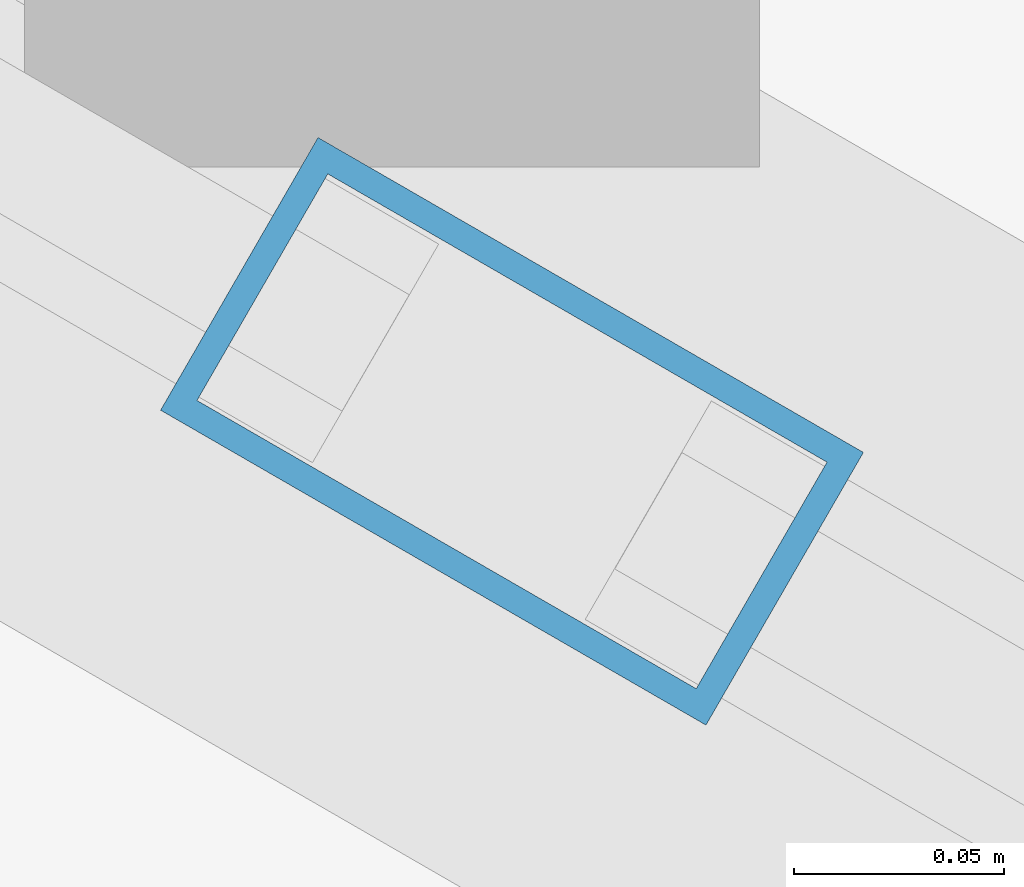
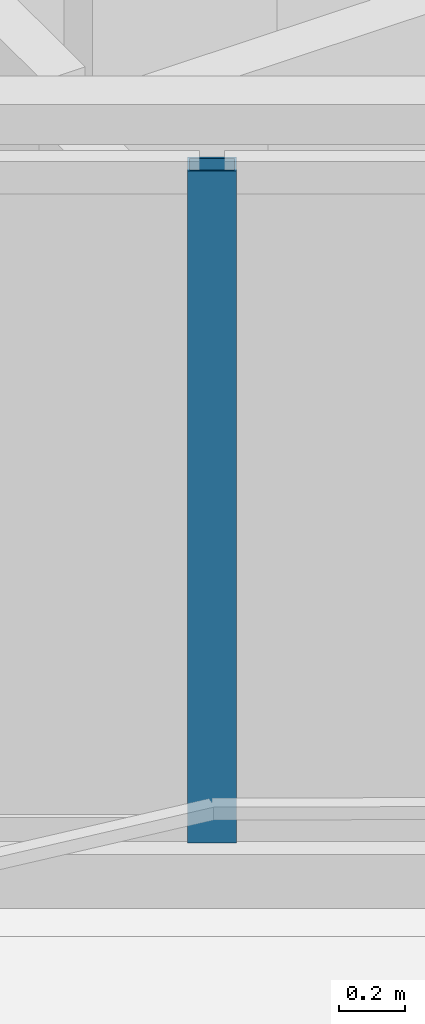
# One storey, part 2 of 18: 1 member, 1 element without a shape of its own.
"""IFC4 building model written with IfcOpenShell, lengths in metres."""

import ifcopenshell
import ifcopenshell.guid

model = None  # the IFC model being written
_history = None  # IfcOwnerHistory: only IFC2X3 demands one
_inside = {}  # id of a spatial element -> (the spatial element, [elements in it])
_under = {}  # id of a project, library or spatial element -> (it, [spatial elements below it])
_declared = {}  # id of a project -> (the project, [libraries it declares])
_typed = {}  # id of a type object -> (the type object, [elements of that type])
_made_of = {}  # id of a material, layer set ... -> (it, [elements and type objects made of it])


def new_model(schema):
    """Start an empty IFC model of exactly this schema.

    Asked for "IFC4X3", IfcOpenShell would pick the latest addendum, in which some entities
    have other attributes; the version numbers below select the first issue.
    IFC2X3 requires an IfcOwnerHistory on every rooted entity: one is made here for all.
    """
    global model, _history
    if schema == "IFC4X3":
        model = ifcopenshell.file(schema_version=(4, 3, 0, 0))
    else:
        model = ifcopenshell.file(schema=schema)
    _inside.clear()
    _under.clear()
    _declared.clear()
    _typed.clear()
    _made_of.clear()
    _history = None
    if model.schema == "IFC2X3":
        org = make("IfcOrganization", Name="unknown")
        user = make(
            "IfcPersonAndOrganization",
            ThePerson=make("IfcPerson", FamilyName="unknown"),
            TheOrganization=org,
        )
        app = make(
            "IfcApplication",
            ApplicationDeveloper=org,
            Version="unknown",
            ApplicationFullName="unknown",
            ApplicationIdentifier="unknown",
        )
        _history = make(
            "IfcOwnerHistory",
            OwningUser=user,
            OwningApplication=app,
            ChangeAction="ADDED",
            CreationDate=0,
        )
    return model


def make(cls, **values):
    """One entity of the class cls with the attributes given. An attribute that is None is left unset."""
    return model.create_entity(
        cls, **{name: value for name, value in values.items() if value is not None}
    )


def rooted(cls, **values):
    """An entity with a GlobalId (a new one), such as an element, a storey or a relation."""
    return make(cls, GlobalId=ifcopenshell.guid.new(), OwnerHistory=_history, **values)


def si_unit(unit_type, name, prefix=None):
    """IfcSIUnit, for example si_unit("LENGTHUNIT", "METRE", prefix="MILLI")."""
    return make("IfcSIUnit", UnitType=unit_type, Prefix=prefix, Name=name)


def assignment(units):
    """IfcUnitAssignment: the units of a project."""
    return None if units is None else make("IfcUnitAssignment", Units=units)


def point(xyz):
    """IfcCartesianPoint."""
    return None if xyz is None else make("IfcCartesianPoint", Coordinates=xyz)


def direction(xyz):
    """IfcDirection."""
    return None if xyz is None else make("IfcDirection", DirectionRatios=xyz)


def frame(location, z_axis=None, x_axis=None):
    """IfcAxis2Placement3D, a coordinate frame: its origin and axes. An axis left out is left unset."""
    return make(
        "IfcAxis2Placement3D",
        Location=point(location),
        Axis=direction(z_axis),
        RefDirection=direction(x_axis),
    )


def frame_2d(location, x_axis=None):
    """IfcAxis2Placement2D, a coordinate frame in the plane: its origin and x axis."""
    return make(
        "IfcAxis2Placement2D", Location=point(location), RefDirection=direction(x_axis)
    )


def origin():
    """The frame at (0, 0, 0) with its axes left unset."""
    return frame((0.0, 0.0, 0.0))


def origin_2d():
    """The frame at (0, 0) in the plane with its x axis left unset."""
    return frame_2d((0.0, 0.0))


def place(relative_to, where):
    """IfcLocalPlacement: puts the frame where relative to a parent placement (None: the world)."""
    return make(
        "IfcLocalPlacement", PlacementRelTo=relative_to, RelativePlacement=where
    )


def context(
    kind, dimensions, precision=None, world=None, true_north=None, identifier=None
):
    """IfcGeometricRepresentationContext, for example the 3D "Model" context."""
    return make(
        "IfcGeometricRepresentationContext",
        ContextIdentifier=identifier,
        ContextType=kind,
        CoordinateSpaceDimension=dimensions,
        Precision=precision,
        WorldCoordinateSystem=world,
        TrueNorth=true_north,
    )


def subcontext(parent, identifier, kind, view, scale=None):
    """IfcGeometricRepresentationSubContext, for example "Body" below "Model"."""
    return make(
        "IfcGeometricRepresentationSubContext",
        ContextIdentifier=identifier,
        ContextType=kind,
        ParentContext=parent,
        TargetScale=scale,
        TargetView=view,
    )


def project(units=None, contexts=None):
    """IfcProject with its units and contexts."""
    return rooted(
        "IfcProject",
        Name="project",
        RepresentationContexts=contexts,
        UnitsInContext=assignment(units),
    )


def spatial(cls, under=None, at=None, **own):
    """A site, building, storey or space (cls), placed at a placement, below another one or the project."""
    s = rooted(cls, ObjectPlacement=at, **own)
    if under is not None:
        _under.setdefault(under.id(), (under, []))[1].append(s)
    return s


def profile(cls, at=None, kind="AREA", **sizes):
    """A parametric profile (cls). Its sizes go by their IFC names, for example OverallWidth=200.0."""
    return make(cls, ProfileType=kind, Position=at, **sizes)


def hollow_rectangle(**sizes):
    """IfcRectangleHollowProfileDef."""
    return profile("IfcRectangleHollowProfileDef", **sizes)


def extrude(swept, where, along, depth):
    """IfcExtrudedAreaSolid: the profile swept, set in the frame where, extruded along a direction by depth."""
    return make(
        "IfcExtrudedAreaSolid",
        SweptArea=swept,
        Position=where,
        ExtrudedDirection=direction(along),
        Depth=depth,
    )


def shape(context_of_items, identifier, shape_type, items):
    """IfcShapeRepresentation: the items that make up one representation, for example the "Body"."""
    return make(
        "IfcShapeRepresentation",
        ContextOfItems=context_of_items,
        RepresentationIdentifier=identifier,
        RepresentationType=shape_type,
        Items=items,
    )


def material(Name=None, Category=None):
    """IfcMaterial."""
    return make("IfcMaterial", Name=Name, Category=Category)


def layer(
    of_material, thickness, ventilated=None, Name=None, Category=None, Priority=None
):
    """IfcMaterialLayer: one layer of a wall or slab, of a material (None: an air gap)."""
    return make(
        "IfcMaterialLayer",
        Material=of_material,
        LayerThickness=thickness,
        IsVentilated=ventilated,
        Name=Name,
        Category=Category,
        Priority=Priority,
    )


def layer_set(layers, Name=None):
    """IfcMaterialLayerSet."""
    return make("IfcMaterialLayerSet", MaterialLayers=layers, LayerSetName=Name)


def material_profile(
    of_material, cross_section, Name=None, Category=None, Priority=None
):
    """IfcMaterialProfile: a cross section and its material."""
    return make(
        "IfcMaterialProfile",
        Name=Name,
        Material=of_material,
        Profile=cross_section,
        Priority=Priority,
        Category=Category,
    )


def profile_set(profiles, Name=None, composite=None):
    """IfcMaterialProfileSet."""
    return make(
        "IfcMaterialProfileSet",
        Name=Name,
        MaterialProfiles=profiles,
        CompositeProfile=composite,
    )


def made_of(thing, what):
    """Note that an element or type object is made of a material, layer set ...; save() writes the relation."""
    if what is not None:
        _made_of.setdefault(what.id(), (what, []))[1].append(thing)
    return thing


def type_object(cls, material=None, **own):
    """A type object (cls), such as IfcWallType, which elements share."""
    return made_of(rooted(cls, **own), material)


def element(
    cls,
    number,
    at=None,
    inside=None,
    cuts=None,
    type_object=None,
    material=None,
    context=None,
    identifier="Body",
    shape_type=None,
    held_by="IfcProductDefinitionShape",
    body=None,
    shapes=None,
    **own,
):
    """One element of the class cls, such as IfcWall. Its Tag is "e" and its number.

    at: its placement. inside: the storey or other place that contains it. cuts: it is an
    opening in that element (IfcRelVoidsElement). A single representation is given by context,
    identifier, shape_type and body (its items); several are given by shapes. held_by: the class
    of the entity that holds the representations. save() writes the other relations.
    """
    e = rooted(cls, Tag="e%d" % number, ObjectPlacement=at, **own)
    if body is not None:
        shapes = [shape(context, identifier, shape_type, body)]
    if shapes is not None:
        e.Representation = make(held_by, Representations=shapes)
    if inside is not None:
        _inside.setdefault(inside.id(), (inside, []))[1].append(e)
    if cuts is not None:
        rooted(
            "IfcRelVoidsElement", RelatingBuildingElement=cuts, RelatedOpeningElement=e
        )
    if type_object is not None:
        _typed.setdefault(type_object.id(), (type_object, []))[1].append(e)
    return made_of(e, material)


def aggregate(whole, parts):
    """IfcRelAggregates: a whole, such as a stair, and the parts it consists of."""
    return rooted("IfcRelAggregates", RelatingObject=whole, RelatedObjects=parts)


def save(model, path):
    """Write the relations noted so far, then the file.

    IfcRelAggregates (storeys below a building ...), IfcRelContainedInSpatialStructure (elements
    in a storey), IfcRelDefinesByType, IfcRelAssociatesMaterial and IfcRelDeclares: one each for
    every whole, place, type object, material and project.
    """
    for whole, parts in _under.values():
        aggregate(whole, parts)
    for where, things in _inside.values():
        rooted(
            "IfcRelContainedInSpatialStructure",
            RelatedElements=things,
            RelatingStructure=where,
        )
    for kind, things in _typed.values():
        rooted("IfcRelDefinesByType", RelatedObjects=things, RelatingType=kind)
    for what, things in _made_of.values():
        rooted("IfcRelAssociatesMaterial", RelatedObjects=things, RelatingMaterial=what)
    for by, libraries in _declared.values():
        rooted("IfcRelDeclares", RelatingContext=by, RelatedDefinitions=libraries)
    model.write(path)


model = new_model("IFC4")

# Units and contexts
model_context = context("Model", 3, precision=1e-05, world=origin(), true_north=direction((0.0, 1.0)))
body_context = subcontext(model_context, "Body", "Model", "MODEL_VIEW")
ifc_project = project(units=[si_unit("LENGTHUNIT", "METRE"), si_unit("AREAUNIT", "SQUARE_METRE"), si_unit("VOLUMEUNIT", "CUBIC_METRE"), si_unit("PLANEANGLEUNIT", "RADIAN"), si_unit("MASSUNIT", "GRAM", prefix="KILO")], contexts=[model_context])

# Site, building, storey
site_placement = place(None, origin())
site = spatial("IfcSite", under=ifc_project, at=site_placement, CompositionType="ELEMENT")
building_placement = place(site_placement, origin())
building = spatial("IfcBuilding", under=site, at=building_placement, Name="Mersakhor Tower and Convention Hall", CompositionType="ELEMENT")
storey_placement = place(building_placement, frame((0.0, 0.0, 239.699951171875)))
storey = spatial("IfcBuildingStorey", under=building, at=storey_placement, Name="L67", CompositionType="ELEMENT", Elevation=239.699951171875)

# Curtain wall, member
ifc_material_1 = material(Name="Dark solar low-E aluminium curtain wall", Category="aluminium")
ifc_layer = layer(ifc_material_1, 0.179931640625)
ifc_layer_set = layer_set([ifc_layer], Name="Dark solar low-E aluminium curtain wall")
curtain_wall_type = type_object("IfcCurtainWallType", Name="CW-SYS-03", PredefinedType="USERDEFINED", material=ifc_layer_set)
curtain_wall_placement = place(storey_placement, origin())
curtain_wall = element("IfcCurtainWall", 1, at=curtain_wall_placement, inside=storey, type_object=curtain_wall_type, Name="L67 Dark-Glass Curtain Wall F3-B2", ObjectType="CURTAIN WALL", PredefinedType="USERDEFINED")
ifc_material_2 = material(Name="Anodised aluminium EN AW-6063 T6", Category="aluminium")
ifc_material_profile = material_profile(ifc_material_2, hollow_rectangle(XDim=0.074951171875, YDim=0.14990234375, WallThickness=0.00634765625, at=origin_2d()), Name="RHS 150x75x6.3")
ifc_profile_set = profile_set([ifc_material_profile], Name="Anodised aluminium EN AW-6063 T6")
member_type = type_object("IfcMemberType", Name="CWM-150x75", PredefinedType="MULLION", material=ifc_profile_set)
member_placement = place(storey_placement, frame((23.628662109375, 17.446533203125, 0.199951171875), z_axis=(0.0, 0.0, 1.0), x_axis=(-0.500004411169, -0.86602285698, 0.0)))
member = element("IfcMember", 2, at=member_placement, type_object=member_type, Name="CW-03 mullion 2", PredefinedType="MULLION", context=body_context, shape_type="SweptSolid", body=[
    extrude(hollow_rectangle(XDim=0.074951171875, YDim=0.14990234375, WallThickness=0.00634765625, at=origin_2d()), origin(), (0.0, 0.0, 1.0), 2.5),
])
aggregate(curtain_wall, [member])

save(model, "model.ifc")
